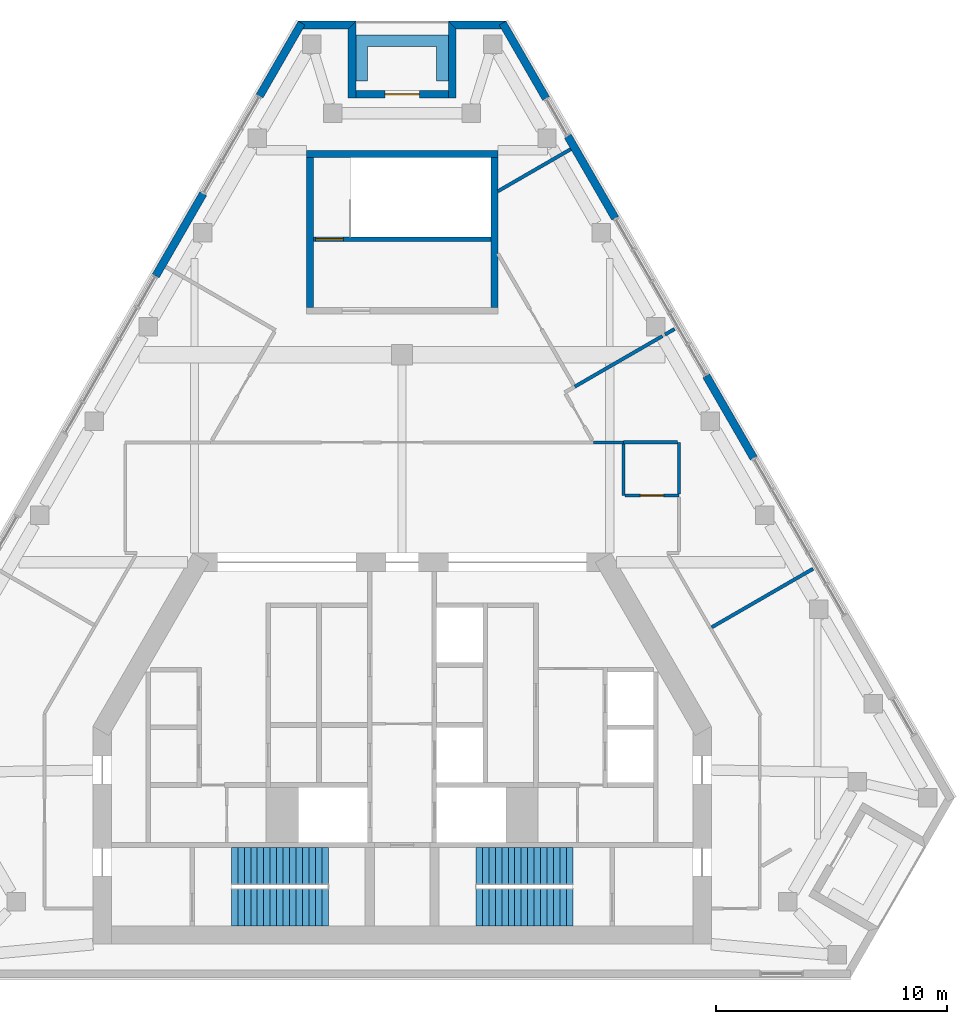
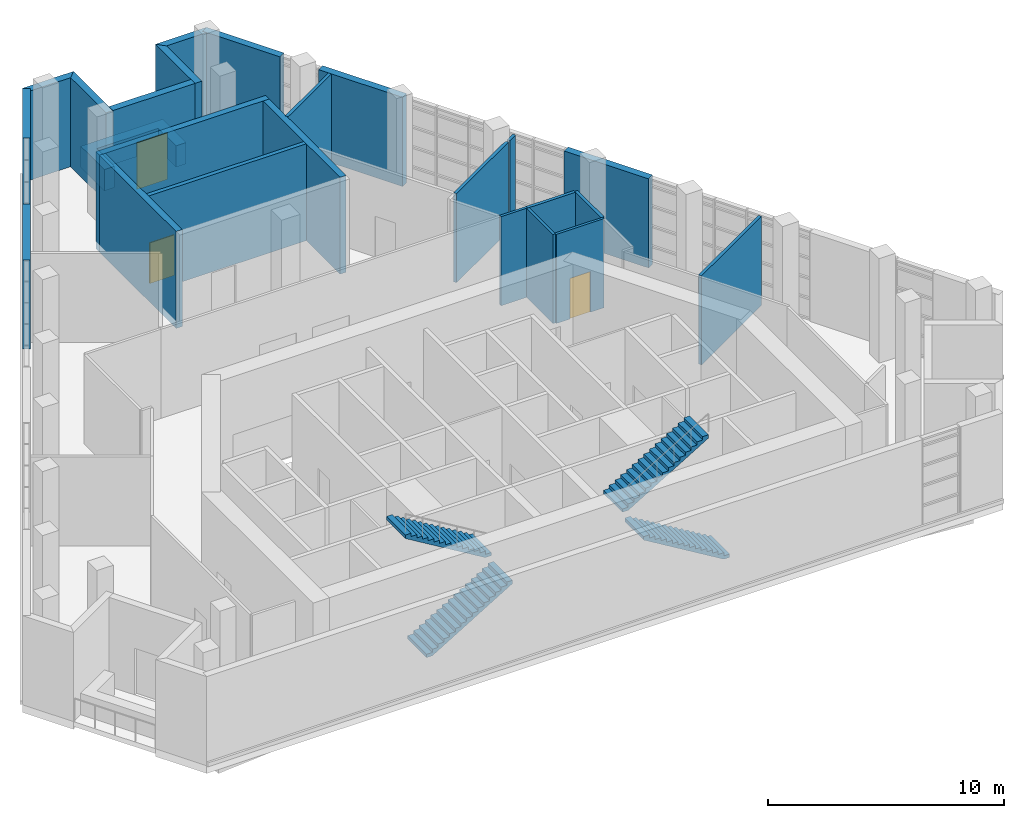
# One storey, part 12 of 13: 24 walls, 4 stair flights, 3 doors, 3 openings, 2 elements without a shape of their own.
"""IFC4 building model written with IfcOpenShell, lengths in metres."""

from ifc_helpers import new_model, si_unit, direction, frame, frame_2d, origin, place, context, subcontext, project, spatial, polyline, rectangle, outline, extrude, material, layer, layer_set, type_object, element, fill, aggregate, save


model = new_model("IFC4")

# Units and contexts
model_context = context("Model", 3, precision=1e-05, world=origin(), true_north=direction((0.0, 1.0)))
body_context = subcontext(model_context, "Body", "Model", "MODEL_VIEW")
ifc_project = project(units=[si_unit("LENGTHUNIT", "METRE"), si_unit("AREAUNIT", "SQUARE_METRE"), si_unit("VOLUMEUNIT", "CUBIC_METRE"), si_unit("PLANEANGLEUNIT", "RADIAN"), si_unit("MASSUNIT", "GRAM", prefix="KILO")], contexts=[model_context])

# Site, building, storey
site_placement = place(None, origin())
site = spatial("IfcSite", under=ifc_project, at=site_placement, CompositionType="ELEMENT")
building_placement = place(site_placement, origin())
building = spatial("IfcBuilding", under=site, at=building_placement, Name="Fogline Exchange Tower", CompositionType="ELEMENT")
storey_placement = place(building_placement, frame((0.0, 0.0, 339.300048828125)))
storey = spatial("IfcBuildingStorey", under=building, at=storey_placement, Name="L77", CompositionType="ELEMENT", Elevation=339.300048828125)

# Wall, opening, door
ifc_material_1 = material(Name="Concrete C40", Category="concrete")
ifc_layer_1 = layer(ifc_material_1, 0.199951171875)
ifc_layer_set_1 = layer_set([ifc_layer_1], Name="CW20R")
wall_type_1 = type_object("IfcWallType", Name="CW20R", PredefinedType="SOLIDWALL", material=ifc_layer_set_1)
wall_1_placement = place(storey_placement, frame((-3.85009765625, 32.007080078125, -0.400146484375), z_axis=(0.0, 0.0, 1.0), x_axis=(1.0, 0.0, 0.0)))
wall_1 = element("IfcWall", 1, at=wall_1_placement, inside=storey, type_object=wall_type_1, Name="Stair enclosure wall ST3", PredefinedType="SOLIDWALL", context=body_context, shape_type="SweptSolid", body=[
    extrude(rectangle(XDim=7.7001953125, YDim=0.199951171875, at=frame_2d((3.85009765625, 0.0))), origin(), (0.0, 0.0, 1.0), 5.0),
])
opening_1_placement = place(wall_1_placement, frame((0.10009765625, 0.0, 0.39990234375)))
opening_1 = element("IfcOpeningElement", 2, at=opening_1_placement, cuts=wall_1, Name="Opening T25-C026", PredefinedType="OPENING", context=body_context, shape_type="SweptSolid", body=[
    extrude(rectangle(XDim=1.199951171875, YDim=2.10009765625, at=frame_2d((0.60009765625, 1.050048828125))), frame((0.0, 0.10986328125, 0.0), z_axis=(0.0, -1.0, 0.0), x_axis=(1.0, 0.0, 0.0)), (0.0, 0.0, 1.0), 0.219970703125),
])
ifc_material_2 = material(Name="Steel and timber fire door", Category="steel")
door_type_1 = type_object("IfcDoorType", Name="D-ST1", OperationType="SINGLE_SWING_LEFT", PredefinedType="DOOR", material=ifc_material_2)
door_1_placement = place(opening_1_placement, origin())
door_1 = element("IfcDoor", 3, at=door_1_placement, inside=storey, type_object=door_type_1, Name="Stair door ST3", OperationType="SINGLE_SWING_LEFT", OverallHeight=2.10009765625, OverallWidth=1.199951171875, PredefinedType="DOOR", context=body_context, shape_type="SweptSolid", body=[
    extrude(rectangle(XDim=1.199951171875, YDim=2.10009765625, at=frame_2d((0.60009765625, 1.050048828125))), frame((0.0, 0.02490234375, 0.0), z_axis=(0.0, -1.0, 0.0), x_axis=(1.0, 0.0, 0.0)), (0.0, 0.0, 1.0), 0.050048828125),
])
fill(opening_1, door_1)

# Walls
ifc_layer_2 = layer(ifc_material_1, 0.300048828125)
ifc_layer_set_2 = layer_set([ifc_layer_2], Name="CW30")
wall_type_2 = type_object("IfcWallType", Name="CW30", PredefinedType="SOLIDWALL", material=ifc_layer_set_2)
wall_2_placement = place(storey_placement, frame((-4.14990234375, 35.70703125, -0.400146484375), z_axis=(0.0, 0.0, 1.0), x_axis=(1.0, 0.0, 0.0)))
element("IfcWall", 4, at=wall_2_placement, inside=storey, type_object=wall_type_2, Name="Stair enclosure wall ST3", PredefinedType="SOLIDWALL", context=body_context, shape_type="SweptSolid", body=[
    extrude(rectangle(XDim=8.2998046875, YDim=0.300048828125, at=frame_2d((4.14990234375, 0.0))), origin(), (0.0, 0.0, 1.0), 5.0),
])
for number, where, z_axis, x_axis, name in (
    (5, (-4.0, 29.056884765625, -0.400146484375), (0.0, 0.0, 1.0), (0.0, 1.0, 0.0), "Stair enclosure wall ST3"),
    (6, (4.0, 29.056884765625, -0.400146484375), (0.0, 0.0, 1.0), (0.0, 1.0, 0.0), "Stair enclosure wall ST3"),
):
    element("IfcWall", number, at=place(storey_placement, frame(where, z_axis=z_axis, x_axis=x_axis)), inside=storey, type_object=wall_type_2, Name=name, PredefinedType="SOLIDWALL", context=body_context, shape_type="SweptSolid", body=[
        extrude(rectangle(XDim=6.5, YDim=0.300048828125, at=frame_2d((3.25, 0.0))), origin(), (0.0, 0.0, 1.0), 5.0),
    ])
ifc_material_3 = material(Name="Brick masonry", Category="masonry")
ifc_layer_3 = layer(ifc_material_3, 0.340087890625)
ifc_layer_set_3 = layer_set([ifc_layer_3], Name="FW1")
wall_type_3 = type_object("IfcWallType", Name="FW1", PredefinedType="SOLIDWALL", material=ifc_layer_set_3)
for number, where, z_axis, x_axis, name in (
    (7, (15.236572265625, 22.5205078125, 0.0), (0.0, 0.0, 1.0), (-0.500018604663, 0.866014662111, 0.0), "Brick wall L77 E bay 3"),
    (8, (9.236572265625, 32.912841796875, 0.0), (0.0, 0.0, 1.0), (-0.500044296292, 0.865999827798, 0.0), "Brick wall L77 E bay 4"),
):
    element("IfcWall", number, at=place(storey_placement, frame(where, z_axis=z_axis, x_axis=x_axis)), inside=storey, type_object=wall_type_3, Name=name, PredefinedType="SOLIDWALL", context=body_context, shape_type="SweptSolid", body=[
        extrude(rectangle(XDim=4.114990234375, YDim=0.340087890625, at=frame_2d((2.0576171875, 0.0))), origin(), (0.0, 0.0, 1.0), 4.599853515625),
    ])
wall_3_placement = place(storey_placement, frame((6.236572265625, 38.10888671875, 0.0), z_axis=(0.0, 0.0, 1.0), x_axis=(-0.500014143148, 0.86601723808, 0.0)))
element("IfcWall", 9, at=wall_3_placement, inside=storey, type_object=wall_type_3, Name="Brick wall L77 E bay 5", PredefinedType="SOLIDWALL", context=body_context, shape_type="SweptSolid", body=[
    extrude(rectangle(XDim=3.767578125, YDim=0.340087890625, at=frame_2d((1.8837890625, 0.0))), origin(), (0.0, 0.0, 1.0), 4.599853515625),
])
wall_4_placement = place(storey_placement, origin())
element("IfcWall", 10, at=wall_4_placement, inside=storey, type_object=wall_type_3, Name="Brick wall L77 N-c1", PredefinedType="SOLIDWALL", context=body_context, shape_type="SweptSolid", body=[
    extrude(outline(polyline([(1.9990234375, 41.457275390625), (4.5009765625, 41.457275390625), (4.501220703125, 41.456787109375), (4.206298828125, 41.286376953125), (4.3046875, 41.115966796875), (2.33984375, 41.115966796875), (1.998779296875, 41.45703125), (1.9990234375, 41.457275390625)])), origin(), (0.0, 0.0, 1.0), 4.599853515625),
])
wall_5_placement = place(storey_placement, origin())
element("IfcWall", 11, at=wall_5_placement, inside=storey, type_object=wall_type_3, Name="Brick wall L77 N-s1", PredefinedType="SOLIDWALL", context=body_context, shape_type="SweptSolid", body=[
    extrude(outline(polyline([(2.340576171875, 38.115966796875), (1.99951171875, 38.115966796875), (1.99951171875, 41.457763671875), (1.999755859375, 41.457763671875), (2.340576171875, 41.116943359375), (2.340576171875, 38.115966796875)])), origin(), (0.0, 0.0, 1.0), 4.599853515625),
])

# Wall, opening, door
wall_6_placement = place(storey_placement, frame((2.0, 38.28662109375, 0.0), z_axis=(0.0, 0.0, 1.0), x_axis=(-1.0, 0.0, 0.0)))
wall_6 = element("IfcWall", 12, at=wall_6_placement, inside=storey, type_object=wall_type_3, Name="Brick wall L77 N-bk", PredefinedType="SOLIDWALL", context=body_context, shape_type="SweptSolid", body=[
    extrude(rectangle(XDim=4.0, YDim=0.340087890625, at=frame_2d((2.0, 0.0))), origin(), (0.0, 0.0, 1.0), 4.599853515625),
])
opening_2_placement = place(wall_6_placement, frame((1.25, 0.0, 0.0)))
opening_2 = element("IfcOpeningElement", 13, at=opening_2_placement, cuts=wall_6, Name="Opening T25-E141", PredefinedType="OPENING", context=body_context, shape_type="SweptSolid", body=[
    extrude(rectangle(XDim=1.5, YDim=2.39990234375, at=frame_2d((0.75, 1.199951171875))), frame((0.0, 0.18017578125, 0.0), z_axis=(0.0, -1.0, 0.0), x_axis=(1.0, 0.0, 0.0)), (0.0, 0.0, 1.0), 0.360107421875),
])
ifc_material_4 = material(Name="Aluminium and glass", Category="aluminium")
door_type_2 = type_object("IfcDoorType", Name="ED4", OperationType="SINGLE_SWING_LEFT", PredefinedType="DOOR", material=ifc_material_4)
door_2_placement = place(opening_2_placement, frame((1.5, 0.0, 0.0), z_axis=(0.0, 0.0, 1.0), x_axis=(-1.0, 0.0, 0.0)))
door_2 = element("IfcDoor", 14, at=door_2_placement, inside=storey, type_object=door_type_2, Name="Balcony door L77 N", OperationType="DOUBLE_DOOR_SINGLE_SWING", OverallHeight=2.39990234375, OverallWidth=1.5, PredefinedType="DOOR", context=body_context, shape_type="SweptSolid", body=[
    extrude(rectangle(XDim=1.5, YDim=2.39990234375, at=frame_2d((0.75, 1.199951171875))), frame((0.0, 0.02490234375, 0.0), z_axis=(0.0, -1.0, 0.0), x_axis=(1.0, 0.0, 0.0)), (0.0, 0.0, 1.0), 0.050048828125),
])
fill(opening_2, door_2)

# Walls
wall_7_placement = place(storey_placement, origin())
element("IfcWall", 15, at=wall_7_placement, inside=storey, type_object=wall_type_3, Name="Brick wall L77 N-s2", PredefinedType="SOLIDWALL", context=body_context, shape_type="SweptSolid", body=[
    extrude(outline(polyline([(-1.99951171875, 41.457763671875), (-1.99951171875, 38.115966796875), (-2.340576171875, 38.115966796875), (-2.340576171875, 41.116943359375), (-1.999755859375, 41.457763671875), (-1.99951171875, 41.457763671875)])), origin(), (0.0, 0.0, 1.0), 4.599853515625),
])
wall_8_placement = place(storey_placement, origin())
element("IfcWall", 16, at=wall_8_placement, inside=storey, type_object=wall_type_3, Name="Brick wall L77 N-c2", PredefinedType="SOLIDWALL", context=body_context, shape_type="SweptSolid", body=[
    extrude(outline(polyline([(-4.3046875, 41.115966796875), (-4.206298828125, 41.286376953125), (-4.501220703125, 41.456787109375), (-4.5009765625, 41.457275390625), (-1.9990234375, 41.457275390625), (-1.998779296875, 41.45703125), (-2.33984375, 41.115966796875), (-4.3046875, 41.115966796875)])), origin(), (0.0, 0.0, 1.0), 4.599853515625),
])
wall_9_placement = place(storey_placement, frame((-4.352783203125, 41.37158203125, 0.0), z_axis=(0.0, 0.0, 1.0), x_axis=(-0.499992475648, -0.866029747927, 0.0)))
element("IfcWall", 17, at=wall_9_placement, inside=storey, type_object=wall_type_3, Name="Brick wall L77 W bay 1", PredefinedType="SOLIDWALL", context=body_context, shape_type="SweptSolid", body=[
    extrude(rectangle(XDim=3.65234375, YDim=0.340087890625, at=frame_2d((1.826171875, 0.0))), origin(), (0.0, 0.0, 1.0), 4.599853515625),
])
wall_10_placement = place(storey_placement, frame((-8.62158203125, 33.97802734375, 0.0), z_axis=(0.0, 0.0, 1.0), x_axis=(-0.499974107589, -0.866040352259, 0.0)))
element("IfcWall", 18, at=wall_10_placement, inside=storey, type_object=wall_type_3, Name="Brick wall L77 W bay 2", PredefinedType="SOLIDWALL", context=body_context, shape_type="SweptSolid", body=[
    extrude(rectangle(XDim=4.114990234375, YDim=0.340087890625, at=frame_2d((2.0576171875, 0.0))), origin(), (0.0, 0.0, 1.0), 4.599853515625),
])
ifc_material_5 = material(Name="Concrete C30", Category="concrete")
ifc_layer_4 = layer(ifc_material_5, 0.199951171875)
ifc_layer_set_4 = layer_set([ifc_layer_4], Name="PL1")
wall_type_4 = type_object("IfcWallType", Name="PL1", PredefinedType="USERDEFINED", material=ifc_layer_set_4)
wall_11_placement = place(storey_placement, origin())
element("IfcWall", 19, at=wall_11_placement, inside=storey, type_object=wall_type_4, Name="PLANTER balcony L77 N", ObjectType="PLANTER", PredefinedType="USERDEFINED", context=body_context, shape_type="SweptSolid", body=[
    extrude(outline(polyline([(-1.5, 40.856689453125), (-2.0, 40.856689453125), (-2.0, 40.356689453125), (-2.0, 38.856689453125), (-1.5, 38.856689453125), (-1.5, 40.356689453125), (1.5, 40.356689453125), (1.5, 38.856689453125), (2.0, 38.856689453125), (2.0, 40.356689453125), (2.0, 40.856689453125), (1.5, 40.856689453125), (-1.5, 40.856689453125)])), origin(), (0.0, 0.0, 1.0), 1.099853515625),
])
ifc_material_6 = material(Name="Plasterboard corridor partition with mineral wool, 2 layers each side")
ifc_layer_5 = layer(ifc_material_6, 0.125)
ifc_layer_set_5 = layer_set([ifc_layer_5], Name="PW2")
wall_type_5 = type_object("IfcWallType", Name="PW2", PredefinedType="PARTITIONING", material=ifc_layer_set_5)
wall_12_placement = place(storey_placement, frame((8.297119140625, 23.199951171875, 0.0), z_axis=(0.0, 0.0, 1.0), x_axis=(1.0, 0.0, 0.0)))
element("IfcWall", 20, at=wall_12_placement, inside=storey, type_object=wall_type_5, Name="wall-L77-W006", PredefinedType="PARTITIONING", context=body_context, shape_type="SweptSolid", body=[
    extrude(rectangle(XDim=1.302978515625, YDim=0.125, at=frame_2d((0.6513671875, 0.0))), origin(), (0.0, 0.0, 1.0), 4.599853515625),
])
wall_13_placement = place(storey_placement, frame((9.60009765625, 23.125, 0.0), z_axis=(0.0, 0.0, 1.0), x_axis=(0.0, -1.0, 0.0)))
element("IfcWall", 21, at=wall_13_placement, inside=storey, type_object=wall_type_5, Name="wall-L77-W009", PredefinedType="PARTITIONING", context=body_context, shape_type="SweptSolid", body=[
    extrude(rectangle(XDim=2.22509765625, YDim=0.125, at=frame_2d((1.112548828125, 0.0))), origin(), (0.0, 0.0, 1.0), 4.599853515625),
])

# Wall, opening, door
wall_14_placement = place(storey_placement, frame((9.66259765625, 20.89990234375, 0.0), z_axis=(0.0, 0.0, 1.0), x_axis=(1.0, 0.0, 0.0)))
wall_14 = element("IfcWall", 22, at=wall_14_placement, inside=storey, type_object=wall_type_5, Name="wall-L77-W010", PredefinedType="PARTITIONING", context=body_context, shape_type="SweptSolid", body=[
    extrude(rectangle(XDim=2.33740234375, YDim=0.125, at=frame_2d((1.168701171875, 0.0))), origin(), (0.0, 0.0, 1.0), 4.599853515625),
])
opening_3_placement = place(wall_14_placement, frame((0.668701171875, 0.0, 0.0)))
opening_3 = element("IfcOpeningElement", 23, at=opening_3_placement, cuts=wall_14, Name="Opening T25-D003", PredefinedType="OPENING", context=body_context, shape_type="SweptSolid", body=[
    extrude(rectangle(XDim=1.0, YDim=2.10009765625, at=frame_2d((0.5, 1.050048828125))), frame((0.0, 0.072509765625, 0.0), z_axis=(0.0, -1.0, 0.0), x_axis=(1.0, 0.0, 0.0)), (0.0, 0.0, 1.0), 0.14501953125),
])
ifc_material_7 = material(Name="Fire-rated timber door leaf with steel frame", Category="steel")
door_type_3 = type_object("IfcDoorType", Name="D3", OperationType="SINGLE_SWING_LEFT", PredefinedType="DOOR", material=ifc_material_7)
door_3_placement = place(opening_3_placement, origin())
door_3 = element("IfcDoor", 24, at=door_3_placement, inside=storey, type_object=door_type_3, Name="door-L77-D003", OperationType="SINGLE_SWING_LEFT", OverallHeight=2.10009765625, OverallWidth=1.0, PredefinedType="DOOR", context=body_context, shape_type="SweptSolid", body=[
    extrude(rectangle(XDim=1.0, YDim=2.10009765625, at=frame_2d((0.5, 1.050048828125))), frame((0.0, 0.02490234375, 0.0), z_axis=(0.0, -1.0, 0.0), x_axis=(1.0, 0.0, 0.0)), (0.0, 0.0, 1.0), 0.050048828125),
])
fill(opening_3, door_3)

# Walls
ifc_material_8 = material(Name="Plasterboard demising partition with mineral wool and acoustic board")
ifc_layer_6 = layer(ifc_material_8, 0.14990234375)
ifc_layer_set_6 = layer_set([ifc_layer_6], Name="PW3")
wall_type_6 = type_object("IfcWallType", Name="PW3", PredefinedType="PARTITIONING", material=ifc_layer_set_6)
wall_15_placement = place(storey_placement, frame((12.0, 20.962890625, 0.0), z_axis=(0.0, 0.0, 1.0), x_axis=(0.0, 1.0, 0.0)))
element("IfcWall", 25, at=wall_15_placement, inside=storey, type_object=wall_type_6, Name="wall-L77-W019", PredefinedType="PARTITIONING", context=body_context, shape_type="SweptSolid", body=[
    extrude(rectangle(XDim=2.237060546875, YDim=0.14990234375, at=frame_2d((1.11865234375, 0.0))), origin(), (0.0, 0.0, 1.0), 4.599853515625),
])
wall_16_placement = place(storey_placement, frame((11.925048828125, 23.199951171875, 0.0), z_axis=(0.0, 0.0, 1.0), x_axis=(-1.0, 0.0, 0.0)))
element("IfcWall", 26, at=wall_16_placement, inside=storey, type_object=wall_type_6, Name="wall-L77-W020", PredefinedType="PARTITIONING", context=body_context, shape_type="SweptSolid", body=[
    extrude(rectangle(XDim=2.324951171875, YDim=0.14990234375, at=frame_2d((1.16259765625, 0.0))), origin(), (0.0, 0.0, 1.0), 4.599853515625),
])
wall_17_placement = place(storey_placement, frame((7.48046875, 25.614501953125, 0.0), z_axis=(0.0, 0.0, 1.0), x_axis=(0.866046596414, 0.499963291492, 0.0)))
element("IfcWall", 27, at=wall_17_placement, inside=storey, type_object=wall_type_6, Name="wall-L77-W021", PredefinedType="PARTITIONING", context=body_context, shape_type="SweptSolid", body=[
    extrude(rectangle(XDim=4.387451171875, YDim=0.14990234375, at=frame_2d((2.19384765625, 0.0))), origin(), (0.0, 0.0, 1.0), 4.599853515625),
])
wall_18_placement = place(storey_placement, frame((11.394287109375, 27.8740234375, 0.0), z_axis=(0.0, 0.0, 1.0), x_axis=(0.865889515344, 0.500235291855, 0.0)))
element("IfcWall", 28, at=wall_18_placement, inside=storey, type_object=wall_type_6, Name="wall-L77-W022", PredefinedType="PARTITIONING", context=body_context, shape_type="SweptSolid", body=[
    extrude(rectangle(XDim=0.480712890625, YDim=0.14990234375, at=frame_2d((0.240234375, 0.0))), origin(), (0.0, 0.0, 1.0), 4.599853515625),
])
wall_19_placement = place(storey_placement, frame((17.810546875, 17.72216796875, 0.0), z_axis=(0.0, 0.0, 1.0), x_axis=(-0.86601005171, -0.50002658963, 0.0)))
element("IfcWall", 29, at=wall_19_placement, inside=storey, type_object=wall_type_6, Name="wall-L77-W025", PredefinedType="PARTITIONING", context=body_context, shape_type="SweptSolid", body=[
    extrude(rectangle(XDim=5.072509765625, YDim=0.14990234375, at=frame_2d((2.5361328125, 0.0))), origin(), (0.0, 0.0, 1.0), 4.599853515625),
])
wall_20_placement = place(storey_placement, frame((4.14990234375, 34.083984375, 0.0), z_axis=(0.0, 0.0, 1.0), x_axis=(0.866036312054, 0.499981105847, 0.0)))
element("IfcWall", 30, at=wall_20_placement, inside=storey, type_object=wall_type_6, Name="wall-L77-W027", PredefinedType="PARTITIONING", context=body_context, shape_type="SweptSolid", body=[
    extrude(rectangle(XDim=3.649658203125, YDim=0.14990234375, at=frame_2d((1.82470703125, 0.0))), origin(), (0.0, 0.0, 1.0), 4.599853515625),
])

# Stair, stair flights
stair_type = type_object("IfcStairType", Name="STR32-1688", PredefinedType="HALF_TURN_STAIR", material=ifc_material_1)
stair_1_placement = place(storey_placement, origin())
stair_1 = element("IfcStair", 31, at=stair_1_placement, inside=storey, type_object=stair_type, Name="Stair ST1", PredefinedType="HALF_TURN_STAIR")
stair_flight_type = type_object("IfcStairFlightType", Name="SF16-1688", PredefinedType="STRAIGHT", material=ifc_material_1)
stair_flight_1_placement = place(storey_placement, frame((-7.39990234375, 3.050048828125, 0.0), z_axis=(0.0, 0.0, 1.0), x_axis=(1.0, 0.0, 0.0)))
stair_flight_1 = element("IfcStairFlight", 32, at=stair_flight_1_placement, type_object=stair_flight_type, Name="ST1 flight 1", NumberOfRisers=16, NumberOfTreads=15, PredefinedType="STRAIGHT", RiserHeight=0.16875, TreadLength=0.28, context=body_context, shape_type="SweptSolid", body=[
    extrude(outline(polyline([(0.0, 0.0), (0.0, 0.168701171875), (0.280029296875, 0.168701171875), (0.280029296875, 0.33740234375), (0.56005859375, 0.33740234375), (0.56005859375, 0.50634765625), (0.840087890625, 0.50634765625), (0.840087890625, 0.675048828125), (1.1201171875, 0.675048828125), (1.1201171875, 0.84375), (1.39990234375, 0.84375), (1.39990234375, 1.012451171875), (1.679931640625, 1.012451171875), (1.679931640625, 1.18115234375), (1.9599609375, 1.18115234375), (1.9599609375, 1.35009765625), (2.239990234375, 1.35009765625), (2.239990234375, 1.518798828125), (2.52001953125, 1.518798828125), (2.52001953125, 1.6875), (2.800048828125, 1.6875), (2.800048828125, 1.856201171875), (3.080078125, 1.856201171875), (3.080078125, 2.02490234375), (3.360107421875, 2.02490234375), (3.360107421875, 2.19384765625), (3.639892578125, 2.19384765625), (3.639892578125, 2.362548828125), (3.919921875, 2.362548828125), (3.919921875, 2.53125), (4.199951171875, 2.53125), (4.199951171875, 2.699951171875), (4.199951171875, 2.356201171875), (0.29052734375, 0.0), (0.0, 0.0)])), frame((0.0, 0.800048828125, 0.0), z_axis=(0.0, -1.0, 0.0), x_axis=(1.0, 0.0, 0.0)), (0.0, 0.0, 1.0), 1.60009765625),
])
stair_flight_2_placement = place(storey_placement, frame((-3.199951171875, 4.85009765625, 2.699951171875), z_axis=(0.0, 0.0, 1.0), x_axis=(-1.0, 0.0, 0.0)))
stair_flight_2 = element("IfcStairFlight", 33, at=stair_flight_2_placement, type_object=stair_flight_type, Name="ST1 flight 2", NumberOfRisers=16, NumberOfTreads=15, PredefinedType="STRAIGHT", RiserHeight=0.16875, TreadLength=0.28, context=body_context, shape_type="SweptSolid", body=[
    extrude(outline(polyline([(0.0, 0.0), (0.0, 0.168701171875), (0.280029296875, 0.168701171875), (0.280029296875, 0.33740234375), (0.56005859375, 0.33740234375), (0.56005859375, 0.50634765625), (0.840087890625, 0.50634765625), (0.840087890625, 0.675048828125), (1.1201171875, 0.675048828125), (1.1201171875, 0.84375), (1.39990234375, 0.84375), (1.39990234375, 1.012451171875), (1.679931640625, 1.012451171875), (1.679931640625, 1.18115234375), (1.9599609375, 1.18115234375), (1.9599609375, 1.35009765625), (2.239990234375, 1.35009765625), (2.239990234375, 1.518798828125), (2.52001953125, 1.518798828125), (2.52001953125, 1.6875), (2.800048828125, 1.6875), (2.800048828125, 1.856201171875), (3.080078125, 1.856201171875), (3.080078125, 2.02490234375), (3.360107421875, 2.02490234375), (3.360107421875, 2.19384765625), (3.639892578125, 2.19384765625), (3.639892578125, 2.362548828125), (3.919921875, 2.362548828125), (3.919921875, 2.53125), (4.199951171875, 2.53125), (4.199951171875, 2.699951171875), (4.199951171875, 2.356201171875), (0.29052734375, 0.0), (0.0, 0.0)])), frame((0.0, 0.800048828125, 0.0), z_axis=(0.0, -1.0, 0.0), x_axis=(1.0, 0.0, 0.0)), (0.0, 0.0, 1.0), 1.60009765625),
])
aggregate(stair_1, [stair_flight_1, stair_flight_2])

stair_2_placement = place(storey_placement, origin())
stair_2 = element("IfcStair", 34, at=stair_2_placement, inside=storey, type_object=stair_type, Name="Stair ST2", PredefinedType="HALF_TURN_STAIR")
stair_flight_3_placement = place(storey_placement, frame((7.39990234375, 3.050048828125, 0.0), z_axis=(0.0, 0.0, 1.0), x_axis=(-1.0, 0.0, 0.0)))
stair_flight_3 = element("IfcStairFlight", 35, at=stair_flight_3_placement, type_object=stair_flight_type, Name="ST2 flight 1", NumberOfRisers=16, NumberOfTreads=15, PredefinedType="STRAIGHT", RiserHeight=0.16875, TreadLength=0.28, context=body_context, shape_type="SweptSolid", body=[
    extrude(outline(polyline([(0.0, 0.0), (0.0, 0.168701171875), (0.280029296875, 0.168701171875), (0.280029296875, 0.33740234375), (0.56005859375, 0.33740234375), (0.56005859375, 0.50634765625), (0.840087890625, 0.50634765625), (0.840087890625, 0.675048828125), (1.1201171875, 0.675048828125), (1.1201171875, 0.84375), (1.39990234375, 0.84375), (1.39990234375, 1.012451171875), (1.679931640625, 1.012451171875), (1.679931640625, 1.18115234375), (1.9599609375, 1.18115234375), (1.9599609375, 1.35009765625), (2.239990234375, 1.35009765625), (2.239990234375, 1.518798828125), (2.52001953125, 1.518798828125), (2.52001953125, 1.6875), (2.800048828125, 1.6875), (2.800048828125, 1.856201171875), (3.080078125, 1.856201171875), (3.080078125, 2.02490234375), (3.360107421875, 2.02490234375), (3.360107421875, 2.19384765625), (3.639892578125, 2.19384765625), (3.639892578125, 2.362548828125), (3.919921875, 2.362548828125), (3.919921875, 2.53125), (4.199951171875, 2.53125), (4.199951171875, 2.699951171875), (4.199951171875, 2.356201171875), (0.29052734375, 0.0), (0.0, 0.0)])), frame((0.0, 0.800048828125, 0.0), z_axis=(0.0, -1.0, 0.0), x_axis=(1.0, 0.0, 0.0)), (0.0, 0.0, 1.0), 1.60009765625),
])
stair_flight_4_placement = place(storey_placement, frame((3.199951171875, 4.85009765625, 2.699951171875), z_axis=(0.0, 0.0, 1.0), x_axis=(1.0, 0.0, 0.0)))
stair_flight_4 = element("IfcStairFlight", 36, at=stair_flight_4_placement, type_object=stair_flight_type, Name="ST2 flight 2", NumberOfRisers=16, NumberOfTreads=15, PredefinedType="STRAIGHT", RiserHeight=0.16875, TreadLength=0.28, context=body_context, shape_type="SweptSolid", body=[
    extrude(outline(polyline([(0.0, 0.0), (0.0, 0.168701171875), (0.280029296875, 0.168701171875), (0.280029296875, 0.33740234375), (0.56005859375, 0.33740234375), (0.56005859375, 0.50634765625), (0.840087890625, 0.50634765625), (0.840087890625, 0.675048828125), (1.1201171875, 0.675048828125), (1.1201171875, 0.84375), (1.39990234375, 0.84375), (1.39990234375, 1.012451171875), (1.679931640625, 1.012451171875), (1.679931640625, 1.18115234375), (1.9599609375, 1.18115234375), (1.9599609375, 1.35009765625), (2.239990234375, 1.35009765625), (2.239990234375, 1.518798828125), (2.52001953125, 1.518798828125), (2.52001953125, 1.6875), (2.800048828125, 1.6875), (2.800048828125, 1.856201171875), (3.080078125, 1.856201171875), (3.080078125, 2.02490234375), (3.360107421875, 2.02490234375), (3.360107421875, 2.19384765625), (3.639892578125, 2.19384765625), (3.639892578125, 2.362548828125), (3.919921875, 2.362548828125), (3.919921875, 2.53125), (4.199951171875, 2.53125), (4.199951171875, 2.699951171875), (4.199951171875, 2.356201171875), (0.29052734375, 0.0), (0.0, 0.0)])), frame((0.0, 0.800048828125, 0.0), z_axis=(0.0, -1.0, 0.0), x_axis=(1.0, 0.0, 0.0)), (0.0, 0.0, 1.0), 1.60009765625),
])
aggregate(stair_2, [stair_flight_3, stair_flight_4])

save(model, "model.ifc")
